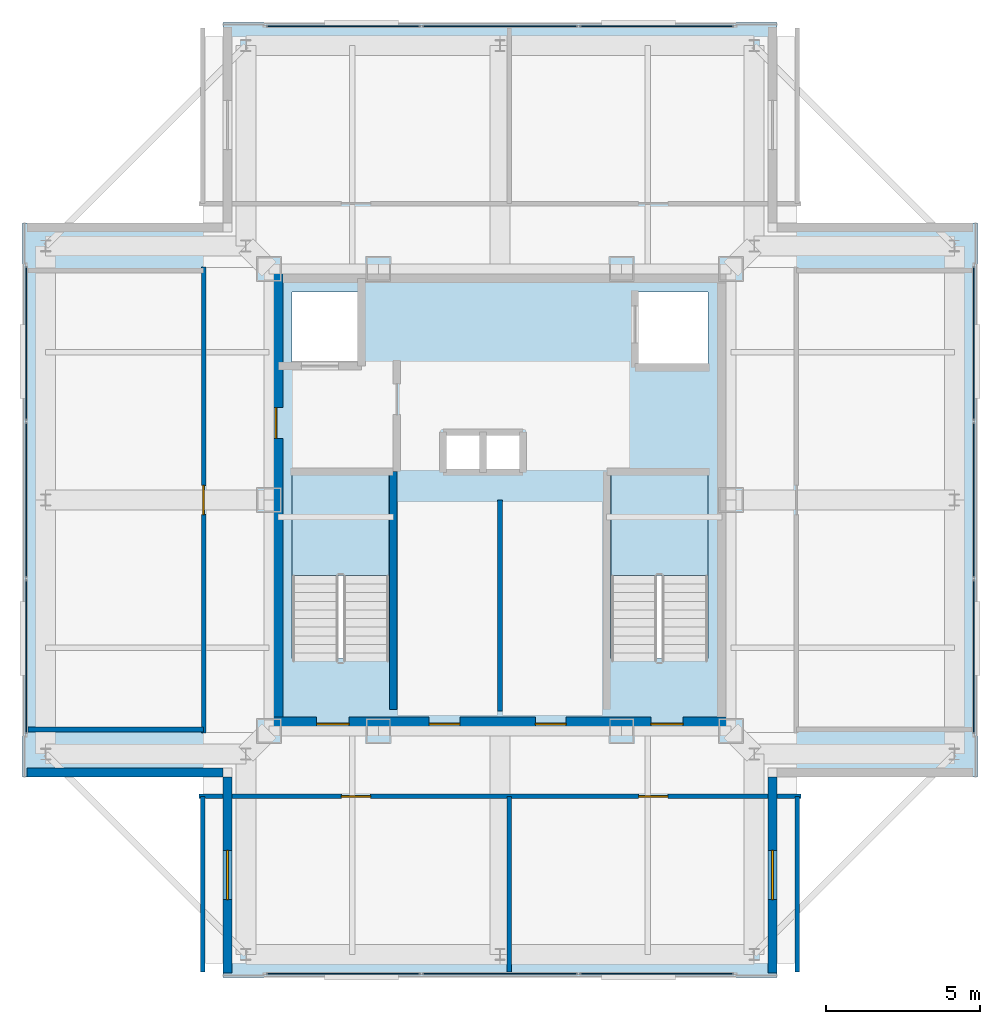
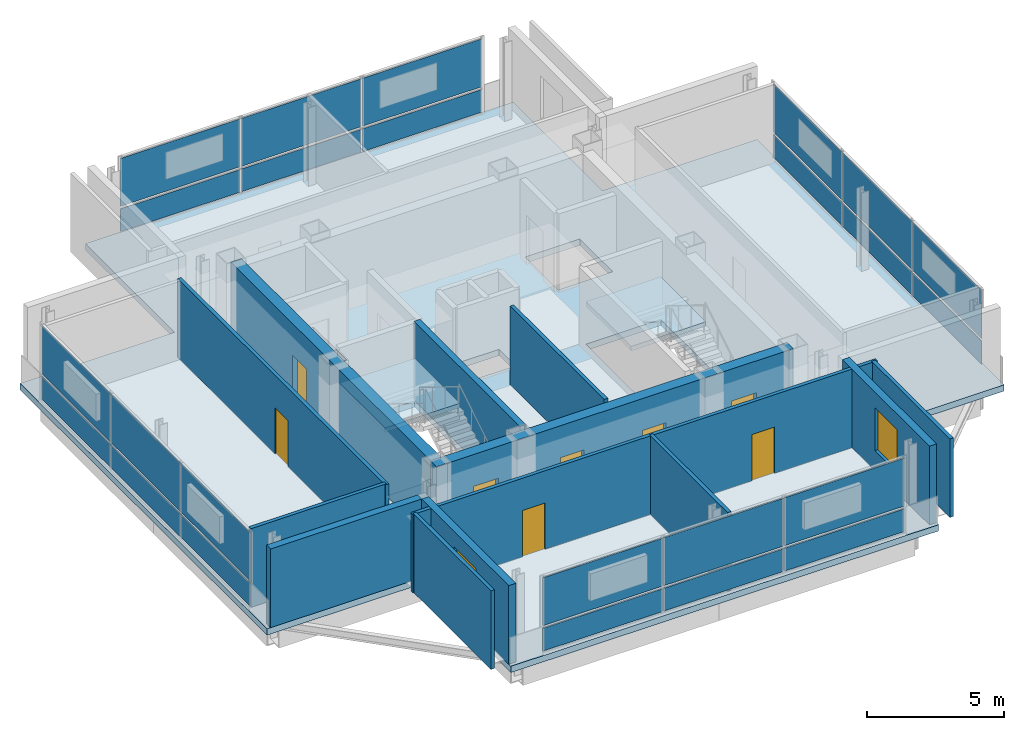
# One storey, part 6 of 10: 24 plates, 13 walls, 8 doors, 3 slabs, 2 windows, 10 openings, 6 elements without a shape of their own.
"""IFC4 building model written with IfcOpenShell, lengths in metres."""

from ifc_helpers import new_model, si_unit, direction, frame, frame_2d, origin, origin_2d, place, context, subcontext, project, spatial, polyline, rectangle, outline, extrude, material, layer, layer_set, type_object, element, fill, aggregate, save


model = new_model("IFC4")

# Units and contexts
model_context = context("Model", 3, precision=1e-05, world=origin(), true_north=direction((0.0, 1.0)))
body_context = subcontext(model_context, "Body", "Model", "MODEL_VIEW")
ifc_project = project(units=[si_unit("LENGTHUNIT", "METRE"), si_unit("AREAUNIT", "SQUARE_METRE"), si_unit("VOLUMEUNIT", "CUBIC_METRE"), si_unit("PLANEANGLEUNIT", "RADIAN"), si_unit("MASSUNIT", "GRAM", prefix="KILO")], contexts=[model_context])

# Site, building, storey
site_placement = place(None, origin())
site = spatial("IfcSite", under=ifc_project, at=site_placement, CompositionType="ELEMENT")
building_placement = place(site_placement, origin())
building = spatial("IfcBuilding", under=site, at=building_placement, Name="Trevonay Congress Spire", CompositionType="ELEMENT")
storey_placement = place(building_placement, frame((0.0, 0.0, 319.800048828125)))
storey = spatial("IfcBuildingStorey", under=building, at=storey_placement, Name="L84", CompositionType="ELEMENT", Elevation=319.800048828125)

# Curtain wall, plates
ifc_material_1 = material(Name="Pale Anodised Aluminium EN AW-6063-T6", Category="aluminium")
ifc_layer_1 = layer(ifc_material_1, 0.159912109375, Name="Pale Anodised Aluminium EN AW-6063-T6")
ifc_layer_set_1 = layer_set([ifc_layer_1], Name="Pale Anodised Aluminium EN AW-6063-T6")
curtain_wall_type = type_object("IfcCurtainWallType", Name="CW-SYS06-CROWN-PALE-METAL", PredefinedType="NOTDEFINED", material=ifc_layer_set_1)
curtain_wall_1_placement = place(storey_placement, origin())
curtain_wall_1 = element("IfcCurtainWall", 1, at=curtain_wall_1_placement, inside=storey, type_object=curtain_wall_type, Name="L84 S unitised curtain wall", PredefinedType="NOTDEFINED")
ifc_material_2 = material(Name="Insulated Low-E Vision Glass IGU", Category="glass")
ifc_layer_2 = layer(ifc_material_2, 0.035888671875, Name="Insulated Low-E Vision Glass IGU")
ifc_layer_set_2 = layer_set([ifc_layer_2], Name="Insulated Low-E Vision Glass IGU")
plate_type = type_object("IfcPlateType", Name="CW-PANEL-IGU36-SILVER", PredefinedType="CURTAIN_PANEL", material=ifc_layer_set_2)
plate_1_placement = place(storey_placement, frame((-5.0849609375, -15.3798828125, 0.1201171875), z_axis=(0.0, 0.0, 1.0), x_axis=(1.0, 0.0, 0.0)))
plate_1 = element("IfcPlate", 2, at=plate_1_placement, type_object=plate_type, Name="CW06 panel 1.1", PredefinedType="CURTAIN_PANEL", context=body_context, shape_type="SweptSolid", body=[
    extrude(rectangle(XDim=5.010009765625, YDim=0.035888671875, at=origin_2d()), origin(), (0.0, 0.0, 1.0), 1.010009765625),
])
plate_2_placement = place(storey_placement, frame((-5.0849609375, -15.3798828125, 1.25), z_axis=(0.0, 0.0, 1.0), x_axis=(1.0, 0.0, 0.0)))
plate_2 = element("IfcPlate", 3, at=plate_2_placement, type_object=plate_type, Name="CW06 panel 1.2", PredefinedType="CURTAIN_PANEL", context=body_context, shape_type="SweptSolid", body=[
    extrude(rectangle(XDim=5.010009765625, YDim=0.035888671875, at=origin_2d()), origin(), (0.0, 0.0, 1.0), 2.1298828125),
])
plate_3_placement = place(storey_placement, frame((0.0, -15.3798828125, 0.1201171875), z_axis=(0.0, 0.0, 1.0), x_axis=(1.0, 0.0, 0.0)))
plate_3 = element("IfcPlate", 4, at=plate_3_placement, type_object=plate_type, Name="CW06 panel 2.1", PredefinedType="CURTAIN_PANEL", context=body_context, shape_type="SweptSolid", body=[
    extrude(rectangle(XDim=5.0400390625, YDim=0.035888671875, at=origin_2d()), origin(), (0.0, 0.0, 1.0), 1.010009765625),
])
plate_4_placement = place(storey_placement, frame((0.0, -15.3798828125, 1.25), z_axis=(0.0, 0.0, 1.0), x_axis=(1.0, 0.0, 0.0)))
plate_4 = element("IfcPlate", 5, at=plate_4_placement, type_object=plate_type, Name="CW06 panel 2.2", PredefinedType="CURTAIN_PANEL", context=body_context, shape_type="SweptSolid", body=[
    extrude(rectangle(XDim=5.0400390625, YDim=0.035888671875, at=origin_2d()), origin(), (0.0, 0.0, 1.0), 2.1298828125),
])
plate_5_placement = place(storey_placement, frame((5.0849609375, -15.3798828125, 0.1201171875), z_axis=(0.0, 0.0, 1.0), x_axis=(1.0, 0.0, 0.0)))
plate_5 = element("IfcPlate", 6, at=plate_5_placement, type_object=plate_type, Name="CW06 panel 3.1", PredefinedType="CURTAIN_PANEL", context=body_context, shape_type="SweptSolid", body=[
    extrude(rectangle(XDim=5.010009765625, YDim=0.035888671875, at=origin_2d()), origin(), (0.0, 0.0, 1.0), 1.010009765625),
])
plate_6_placement = place(storey_placement, frame((5.0849609375, -15.3798828125, 1.25), z_axis=(0.0, 0.0, 1.0), x_axis=(1.0, 0.0, 0.0)))
plate_6 = element("IfcPlate", 7, at=plate_6_placement, type_object=plate_type, Name="CW06 panel 3.2", PredefinedType="CURTAIN_PANEL", context=body_context, shape_type="SweptSolid", body=[
    extrude(rectangle(XDim=5.010009765625, YDim=0.035888671875, at=origin_2d()), origin(), (0.0, 0.0, 1.0), 2.1298828125),
])
aggregate(curtain_wall_1, [plate_1, plate_2, plate_3, plate_4, plate_5, plate_6])

curtain_wall_2_placement = place(storey_placement, origin())
curtain_wall_2 = element("IfcCurtainWall", 8, at=curtain_wall_2_placement, inside=storey, type_object=curtain_wall_type, Name="L84 N unitised curtain wall", PredefinedType="NOTDEFINED")
plate_7_placement = place(storey_placement, frame((-5.0849609375, 15.3798828125, 0.1201171875), z_axis=(0.0, 0.0, 1.0), x_axis=(1.0, 0.0, 0.0)))
plate_7 = element("IfcPlate", 9, at=plate_7_placement, type_object=plate_type, Name="CW06 panel 1.1", PredefinedType="CURTAIN_PANEL", context=body_context, shape_type="SweptSolid", body=[
    extrude(rectangle(XDim=5.010009765625, YDim=0.035888671875, at=origin_2d()), origin(), (0.0, 0.0, 1.0), 1.010009765625),
])
plate_8_placement = place(storey_placement, frame((-5.0849609375, 15.3798828125, 1.25), z_axis=(0.0, 0.0, 1.0), x_axis=(1.0, 0.0, 0.0)))
plate_8 = element("IfcPlate", 10, at=plate_8_placement, type_object=plate_type, Name="CW06 panel 1.2", PredefinedType="CURTAIN_PANEL", context=body_context, shape_type="SweptSolid", body=[
    extrude(rectangle(XDim=5.010009765625, YDim=0.035888671875, at=origin_2d()), origin(), (0.0, 0.0, 1.0), 2.1298828125),
])
plate_9_placement = place(storey_placement, frame((0.0, 15.3798828125, 0.1201171875), z_axis=(0.0, 0.0, 1.0), x_axis=(1.0, 0.0, 0.0)))
plate_9 = element("IfcPlate", 11, at=plate_9_placement, type_object=plate_type, Name="CW06 panel 2.1", PredefinedType="CURTAIN_PANEL", context=body_context, shape_type="SweptSolid", body=[
    extrude(rectangle(XDim=5.0400390625, YDim=0.035888671875, at=origin_2d()), origin(), (0.0, 0.0, 1.0), 1.010009765625),
])
plate_10_placement = place(storey_placement, frame((0.0, 15.3798828125, 1.25), z_axis=(0.0, 0.0, 1.0), x_axis=(1.0, 0.0, 0.0)))
plate_10 = element("IfcPlate", 12, at=plate_10_placement, type_object=plate_type, Name="CW06 panel 2.2", PredefinedType="CURTAIN_PANEL", context=body_context, shape_type="SweptSolid", body=[
    extrude(rectangle(XDim=5.0400390625, YDim=0.035888671875, at=origin_2d()), origin(), (0.0, 0.0, 1.0), 2.1298828125),
])
plate_11_placement = place(storey_placement, frame((5.0849609375, 15.3798828125, 0.1201171875), z_axis=(0.0, 0.0, 1.0), x_axis=(1.0, 0.0, 0.0)))
plate_11 = element("IfcPlate", 13, at=plate_11_placement, type_object=plate_type, Name="CW06 panel 3.1", PredefinedType="CURTAIN_PANEL", context=body_context, shape_type="SweptSolid", body=[
    extrude(rectangle(XDim=5.010009765625, YDim=0.035888671875, at=origin_2d()), origin(), (0.0, 0.0, 1.0), 1.010009765625),
])
plate_12_placement = place(storey_placement, frame((5.0849609375, 15.3798828125, 1.25), z_axis=(0.0, 0.0, 1.0), x_axis=(1.0, 0.0, 0.0)))
plate_12 = element("IfcPlate", 14, at=plate_12_placement, type_object=plate_type, Name="CW06 panel 3.2", PredefinedType="CURTAIN_PANEL", context=body_context, shape_type="SweptSolid", body=[
    extrude(rectangle(XDim=5.010009765625, YDim=0.035888671875, at=origin_2d()), origin(), (0.0, 0.0, 1.0), 2.1298828125),
])
aggregate(curtain_wall_2, [plate_7, plate_8, plate_9, plate_10, plate_11, plate_12])

curtain_wall_3_placement = place(storey_placement, origin())
curtain_wall_3 = element("IfcCurtainWall", 15, at=curtain_wall_3_placement, inside=storey, type_object=curtain_wall_type, Name="L84 W unitised curtain wall", PredefinedType="NOTDEFINED")
plate_13_placement = place(storey_placement, frame((-15.3798828125, -5.0849609375, 0.1201171875), z_axis=(0.0, 0.0, 1.0), x_axis=(0.0, 1.0, 0.0)))
plate_13 = element("IfcPlate", 16, at=plate_13_placement, type_object=plate_type, Name="CW06 panel 1.1", PredefinedType="CURTAIN_PANEL", context=body_context, shape_type="SweptSolid", body=[
    extrude(rectangle(XDim=5.010009765625, YDim=0.035888671875, at=origin_2d()), origin(), (0.0, 0.0, 1.0), 1.010009765625),
])
plate_14_placement = place(storey_placement, frame((-15.3798828125, -5.0849609375, 1.25), z_axis=(0.0, 0.0, 1.0), x_axis=(0.0, 1.0, 0.0)))
plate_14 = element("IfcPlate", 17, at=plate_14_placement, type_object=plate_type, Name="CW06 panel 1.2", PredefinedType="CURTAIN_PANEL", context=body_context, shape_type="SweptSolid", body=[
    extrude(rectangle(XDim=5.010009765625, YDim=0.035888671875, at=origin_2d()), origin(), (0.0, 0.0, 1.0), 2.1298828125),
])
plate_15_placement = place(storey_placement, frame((-15.3798828125, 0.0, 0.1201171875), z_axis=(0.0, 0.0, 1.0), x_axis=(0.0, 1.0, 0.0)))
plate_15 = element("IfcPlate", 18, at=plate_15_placement, type_object=plate_type, Name="CW06 panel 2.1", PredefinedType="CURTAIN_PANEL", context=body_context, shape_type="SweptSolid", body=[
    extrude(rectangle(XDim=5.0400390625, YDim=0.035888671875, at=origin_2d()), origin(), (0.0, 0.0, 1.0), 1.010009765625),
])
plate_16_placement = place(storey_placement, frame((-15.3798828125, 0.0, 1.25), z_axis=(0.0, 0.0, 1.0), x_axis=(0.0, 1.0, 0.0)))
plate_16 = element("IfcPlate", 19, at=plate_16_placement, type_object=plate_type, Name="CW06 panel 2.2", PredefinedType="CURTAIN_PANEL", context=body_context, shape_type="SweptSolid", body=[
    extrude(rectangle(XDim=5.0400390625, YDim=0.035888671875, at=origin_2d()), origin(), (0.0, 0.0, 1.0), 2.1298828125),
])
plate_17_placement = place(storey_placement, frame((-15.3798828125, 5.0849609375, 0.1201171875), z_axis=(0.0, 0.0, 1.0), x_axis=(0.0, 1.0, 0.0)))
plate_17 = element("IfcPlate", 20, at=plate_17_placement, type_object=plate_type, Name="CW06 panel 3.1", PredefinedType="CURTAIN_PANEL", context=body_context, shape_type="SweptSolid", body=[
    extrude(rectangle(XDim=5.010009765625, YDim=0.035888671875, at=origin_2d()), origin(), (0.0, 0.0, 1.0), 1.010009765625),
])
plate_18_placement = place(storey_placement, frame((-15.3798828125, 5.0849609375, 1.25), z_axis=(0.0, 0.0, 1.0), x_axis=(0.0, 1.0, 0.0)))
plate_18 = element("IfcPlate", 21, at=plate_18_placement, type_object=plate_type, Name="CW06 panel 3.2", PredefinedType="CURTAIN_PANEL", context=body_context, shape_type="SweptSolid", body=[
    extrude(rectangle(XDim=5.010009765625, YDim=0.035888671875, at=origin_2d()), origin(), (0.0, 0.0, 1.0), 2.1298828125),
])
aggregate(curtain_wall_3, [plate_13, plate_14, plate_15, plate_16, plate_17, plate_18])

curtain_wall_4_placement = place(storey_placement, origin())
curtain_wall_4 = element("IfcCurtainWall", 22, at=curtain_wall_4_placement, inside=storey, type_object=curtain_wall_type, Name="L84 E unitised curtain wall", PredefinedType="NOTDEFINED")
plate_19_placement = place(storey_placement, frame((15.3798828125, -5.0849609375, 0.1201171875), z_axis=(0.0, 0.0, 1.0), x_axis=(0.0, 1.0, 0.0)))
plate_19 = element("IfcPlate", 23, at=plate_19_placement, type_object=plate_type, Name="CW06 panel 1.1", PredefinedType="CURTAIN_PANEL", context=body_context, shape_type="SweptSolid", body=[
    extrude(rectangle(XDim=5.010009765625, YDim=0.035888671875, at=origin_2d()), origin(), (0.0, 0.0, 1.0), 1.010009765625),
])
plate_20_placement = place(storey_placement, frame((15.3798828125, -5.0849609375, 1.25), z_axis=(0.0, 0.0, 1.0), x_axis=(0.0, 1.0, 0.0)))
plate_20 = element("IfcPlate", 24, at=plate_20_placement, type_object=plate_type, Name="CW06 panel 1.2", PredefinedType="CURTAIN_PANEL", context=body_context, shape_type="SweptSolid", body=[
    extrude(rectangle(XDim=5.010009765625, YDim=0.035888671875, at=origin_2d()), origin(), (0.0, 0.0, 1.0), 2.1298828125),
])
plate_21_placement = place(storey_placement, frame((15.3798828125, 0.0, 0.1201171875), z_axis=(0.0, 0.0, 1.0), x_axis=(0.0, 1.0, 0.0)))
plate_21 = element("IfcPlate", 25, at=plate_21_placement, type_object=plate_type, Name="CW06 panel 2.1", PredefinedType="CURTAIN_PANEL", context=body_context, shape_type="SweptSolid", body=[
    extrude(rectangle(XDim=5.0400390625, YDim=0.035888671875, at=origin_2d()), origin(), (0.0, 0.0, 1.0), 1.010009765625),
])
plate_22_placement = place(storey_placement, frame((15.3798828125, 0.0, 1.25), z_axis=(0.0, 0.0, 1.0), x_axis=(0.0, 1.0, 0.0)))
plate_22 = element("IfcPlate", 26, at=plate_22_placement, type_object=plate_type, Name="CW06 panel 2.2", PredefinedType="CURTAIN_PANEL", context=body_context, shape_type="SweptSolid", body=[
    extrude(rectangle(XDim=5.0400390625, YDim=0.035888671875, at=origin_2d()), origin(), (0.0, 0.0, 1.0), 2.1298828125),
])
plate_23_placement = place(storey_placement, frame((15.3798828125, 5.0849609375, 0.1201171875), z_axis=(0.0, 0.0, 1.0), x_axis=(0.0, 1.0, 0.0)))
plate_23 = element("IfcPlate", 27, at=plate_23_placement, type_object=plate_type, Name="CW06 panel 3.1", PredefinedType="CURTAIN_PANEL", context=body_context, shape_type="SweptSolid", body=[
    extrude(rectangle(XDim=5.010009765625, YDim=0.035888671875, at=origin_2d()), origin(), (0.0, 0.0, 1.0), 1.010009765625),
])
plate_24_placement = place(storey_placement, frame((15.3798828125, 5.0849609375, 1.25), z_axis=(0.0, 0.0, 1.0), x_axis=(0.0, 1.0, 0.0)))
plate_24 = element("IfcPlate", 28, at=plate_24_placement, type_object=plate_type, Name="CW06 panel 3.2", PredefinedType="CURTAIN_PANEL", context=body_context, shape_type="SweptSolid", body=[
    extrude(rectangle(XDim=5.010009765625, YDim=0.035888671875, at=origin_2d()), origin(), (0.0, 0.0, 1.0), 2.1298828125),
])
aggregate(curtain_wall_4, [plate_19, plate_20, plate_21, plate_22, plate_23, plate_24])

# Slab
ifc_material_3 = material(Name="Concrete C40/50", Category="concrete")
ifc_layer_3 = layer(ifc_material_3, 0.280029296875, Name="Concrete C40/50")
ifc_layer_set_3 = layer_set([ifc_layer_3], Name="Concrete C40/50")
slab_type_1 = type_object("IfcSlabType", Name="SLB-CROWN-280", PredefinedType="FLOOR", material=ifc_layer_set_3)
slab_1_placement = place(storey_placement, frame((0.0, 0.0, -0.280029296875)))
element("IfcSlab", 29, at=slab_1_placement, inside=storey, type_object=slab_type_1, Name="L84 structural floor slab", PredefinedType="FLOOR", context=body_context, shape_type="SweptSolid", body=[
    extrude(outline(polyline([(-9.0, -15.5), (9.0, -15.5), (9.0, -9.0), (15.5, -9.0), (15.5, 9.0), (9.0, 9.0), (9.0, 15.5), (-9.0, 15.5), (-9.0, 9.0), (-15.5, 9.0), (-15.5, -9.0), (-9.0, -9.0), (-9.0, -15.5)]), holes=[polyline([(-3.60009765625, -5.14990234375), (-3.60009765625, 0.85009765625), (-6.75, 0.85009765625), (-6.75, -5.14990234375), (-3.60009765625, -5.14990234375)]), polyline([(6.75, -5.14990234375), (6.75, 0.85009765625), (3.60009765625, 0.85009765625), (3.60009765625, -5.14990234375), (6.75, -5.14990234375)]), polyline([(-6.75, 4.35009765625), (-4.449951171875, 4.35009765625), (-4.449951171875, 6.75), (-6.75, 6.75), (-6.75, 4.35009765625)]), polyline([(4.449951171875, 4.35009765625), (6.75, 4.35009765625), (6.75, 6.75), (4.449951171875, 6.75), (4.449951171875, 4.35009765625)]), polyline([(-1.800048828125, 0.949951171875), (0.699951171875, 0.949951171875), (0.699951171875, 2.14990234375), (-1.800048828125, 2.14990234375), (-1.800048828125, 0.949951171875)])]), origin(), (0.0, 0.0, 1.0), 0.280029296875),
])

# Stair, slab
stair_type_1 = type_object("IfcStairType", Name="STR-ST-1", PredefinedType="HALF_TURN_STAIR", material=ifc_material_3)
stair_1_placement = place(storey_placement, origin())
stair_1 = element("IfcStair", 30, at=stair_1_placement, inside=storey, type_object=stair_type_1, Name="L84 Protected Exit Stair ST-1", PredefinedType="HALF_TURN_STAIR")
ifc_layer_4 = layer(ifc_material_3, 0.199951171875, Name="Concrete C40/50")
ifc_layer_set_4 = layer_set([ifc_layer_4], Name="Concrete C40/50")
slab_type_2 = type_object("IfcSlabType", Name="SLB-STAIR-LAND-200", PredefinedType="LANDING", material=ifc_layer_set_4)
slab_2_placement = place(storey_placement, frame((0.0, 0.0, 1.699951171875)))
slab_2 = element("IfcSlab", 31, at=slab_2_placement, type_object=slab_type_2, Name="ST-1 landing 1", PredefinedType="LANDING", context=body_context, shape_type="SweptSolid", body=[
    extrude(outline(polyline([(-3.60009765625, -2.449951171875), (-3.60009765625, 0.85009765625), (-6.75, 0.85009765625), (-6.75, -2.449951171875), (-3.60009765625, -2.449951171875)])), origin(), (0.0, 0.0, 1.0), 0.199951171875),
])
aggregate(stair_1, [slab_2])

stair_type_2 = type_object("IfcStairType", Name="STR-ST-2", PredefinedType="HALF_TURN_STAIR", material=ifc_material_3)
stair_2_placement = place(storey_placement, origin())
stair_2 = element("IfcStair", 32, at=stair_2_placement, inside=storey, type_object=stair_type_2, Name="L84 Protected Exit Stair ST-2", PredefinedType="HALF_TURN_STAIR")
slab_3_placement = place(storey_placement, frame((0.0, 0.0, 1.699951171875)))
slab_3 = element("IfcSlab", 33, at=slab_3_placement, type_object=slab_type_2, Name="ST-2 landing 1", PredefinedType="LANDING", context=body_context, shape_type="SweptSolid", body=[
    extrude(outline(polyline([(6.75, -2.449951171875), (6.75, 0.85009765625), (3.60009765625, 0.85009765625), (3.60009765625, -2.449951171875), (6.75, -2.449951171875)])), origin(), (0.0, 0.0, 1.0), 0.199951171875),
])
aggregate(stair_2, [slab_3])

# Wall, openings, doors
ifc_material_4 = material(Name="Concrete C50/60", Category="concrete")
ifc_layer_5 = layer(ifc_material_4, 0.449951171875, Name="Concrete C50/60")
ifc_layer_set_5 = layer_set([ifc_layer_5], Name="Concrete C50/60")
wall_type_1 = type_object("IfcWallType", Name="WAL-CORE-450", PredefinedType="SHEAR", material=ifc_layer_set_5)
wall_1_placement = place(storey_placement, frame((-7.5, -7.27490234375, 0.0), z_axis=(0.0, 0.0, 1.0), x_axis=(1.0, 0.0, 0.0)))
wall_1 = element("IfcWall", 34, at=wall_1_placement, inside=storey, type_object=wall_type_1, Name="L84 South structural core shear wall", PredefinedType="SHEAR", context=body_context, shape_type="SweptSolid", body=[
    extrude(rectangle(XDim=15.0, YDim=0.449951171875, at=frame_2d((7.5, 0.0))), origin(), (0.0, 0.0, 1.0), 3.5),
])
opening_1_placement = place(wall_1_placement, frame((1.550048828125, 0.0, 0.0)))
opening_1 = element("IfcOpeningElement", 35, at=opening_1_placement, cuts=wall_1, Name="Opening D05", PredefinedType="OPENING", context=body_context, shape_type="SweptSolid", body=[
    extrude(rectangle(XDim=1.050048828125, YDim=2.080078125, at=frame_2d((0.52490234375, 1.0400390625))), frame((0.0, 0.23486328125, 0.0), z_axis=(0.0, -1.0, 0.0), x_axis=(1.0, 0.0, 0.0)), (0.0, 0.0, 1.0), 0.469970703125),
])
opening_2_placement = place(wall_1_placement, frame((12.39990234375, 0.0, 0.0)))
opening_2 = element("IfcOpeningElement", 36, at=opening_2_placement, cuts=wall_1, Name="Opening D05", PredefinedType="OPENING", context=body_context, shape_type="SweptSolid", body=[
    extrude(rectangle(XDim=1.050048828125, YDim=2.080078125, at=frame_2d((0.52490234375, 1.0400390625))), frame((0.0, 0.23486328125, 0.0), z_axis=(0.0, -1.0, 0.0), x_axis=(1.0, 0.0, 0.0)), (0.0, 0.0, 1.0), 0.469970703125),
])
opening_3_placement = place(wall_1_placement, frame((5.199951171875, 0.0, 0.0)))
opening_3 = element("IfcOpeningElement", 37, at=opening_3_placement, cuts=wall_1, Name="Opening D06", PredefinedType="OPENING", context=body_context, shape_type="SweptSolid", body=[
    extrude(rectangle(XDim=1.0, YDim=2.080078125, at=frame_2d((0.5, 1.0400390625))), frame((0.0, 0.23486328125, 0.0), z_axis=(0.0, -1.0, 0.0), x_axis=(1.0, 0.0, 0.0)), (0.0, 0.0, 1.0), 0.469970703125),
])
opening_4_placement = place(wall_1_placement, frame((8.64990234375, 0.0, 0.0)))
opening_4 = element("IfcOpeningElement", 38, at=opening_4_placement, cuts=wall_1, Name="Opening D06", PredefinedType="OPENING", context=body_context, shape_type="SweptSolid", body=[
    extrude(rectangle(XDim=1.0, YDim=2.080078125, at=frame_2d((0.5, 1.0400390625))), frame((0.0, 0.23486328125, 0.0), z_axis=(0.0, -1.0, 0.0), x_axis=(1.0, 0.0, 0.0)), (0.0, 0.0, 1.0), 0.469970703125),
])
ifc_material_5 = material(Name="Steel ASTM A572 Grade 50", Category="steel")
door_type_1 = type_object("IfcDoorType", Name="DOR-FIRE-100", OperationType="NOTDEFINED", PredefinedType="DOOR", material=ifc_material_5)
door_1_placement = place(opening_3_placement, origin())
door_1 = element("IfcDoor", 39, at=door_1_placement, inside=storey, type_object=door_type_1, Name="L84 South Core Room 1 Door", OperationType="SINGLE_SWING_LEFT", OverallHeight=2.080078125, OverallWidth=1.0, PredefinedType="DOOR", context=body_context, shape_type="SweptSolid", body=[
    extrude(rectangle(XDim=1.0, YDim=2.080078125, at=frame_2d((0.5, 1.0400390625))), frame((0.0, 0.02490234375, 0.0), z_axis=(0.0, -1.0, 0.0), x_axis=(1.0, 0.0, 0.0)), (0.0, 0.0, 1.0), 0.050048828125),
])
fill(opening_3, door_1)
door_2_placement = place(opening_4_placement, origin())
door_2 = element("IfcDoor", 40, at=door_2_placement, inside=storey, type_object=door_type_1, Name="L84 South Core Room 2 Door", OperationType="SINGLE_SWING_RIGHT", OverallHeight=2.080078125, OverallWidth=1.0, PredefinedType="DOOR", context=body_context, shape_type="SweptSolid", body=[
    extrude(rectangle(XDim=1.0, YDim=2.080078125, at=frame_2d((0.5, 1.0400390625))), frame((0.0, 0.02490234375, 0.0), z_axis=(0.0, -1.0, 0.0), x_axis=(1.0, 0.0, 0.0)), (0.0, 0.0, 1.0), 0.050048828125),
])
fill(opening_4, door_2)
door_type_2 = type_object("IfcDoorType", Name="DOR-STAIR-110", OperationType="NOTDEFINED", PredefinedType="DOOR", material=ifc_material_5)
door_3_placement = place(opening_1_placement, origin())
door_3 = element("IfcDoor", 41, at=door_3_placement, inside=storey, type_object=door_type_2, Name="L84 Protected Stair ST-1 Door", OperationType="SINGLE_SWING_RIGHT", OverallHeight=2.080078125, OverallWidth=1.050048828125, PredefinedType="DOOR", context=body_context, shape_type="SweptSolid", body=[
    extrude(rectangle(XDim=1.050048828125, YDim=2.080078125, at=frame_2d((0.52490234375, 1.0400390625))), frame((0.0, 0.02490234375, 0.0), z_axis=(0.0, -1.0, 0.0), x_axis=(1.0, 0.0, 0.0)), (0.0, 0.0, 1.0), 0.050048828125),
])
fill(opening_1, door_3)
door_4_placement = place(opening_2_placement, origin())
door_4 = element("IfcDoor", 42, at=door_4_placement, inside=storey, type_object=door_type_2, Name="L84 Protected Stair ST-2 Door", OperationType="SINGLE_SWING_LEFT", OverallHeight=2.080078125, OverallWidth=1.050048828125, PredefinedType="DOOR", context=body_context, shape_type="SweptSolid", body=[
    extrude(rectangle(XDim=1.050048828125, YDim=2.080078125, at=frame_2d((0.52490234375, 1.0400390625))), frame((0.0, 0.02490234375, 0.0), z_axis=(0.0, -1.0, 0.0), x_axis=(1.0, 0.0, 0.0)), (0.0, 0.0, 1.0), 0.050048828125),
])
fill(opening_2, door_4)

# Wall, opening, door
wall_2_placement = place(storey_placement, frame((-7.27490234375, -7.5, 0.0), z_axis=(0.0, 0.0, 1.0), x_axis=(0.0, 1.0, 0.0)))
wall_2 = element("IfcWall", 43, at=wall_2_placement, inside=storey, type_object=wall_type_1, Name="L84 West structural core shear wall", PredefinedType="SHEAR", context=body_context, shape_type="SweptSolid", body=[
    extrude(rectangle(XDim=15.0, YDim=0.449951171875, at=frame_2d((7.5, 0.0))), origin(), (0.0, 0.0, 1.0), 3.5),
])
opening_5_placement = place(wall_2_placement, frame((9.5, 0.0, 0.0)))
opening_5 = element("IfcOpeningElement", 44, at=opening_5_placement, cuts=wall_2, Name="Opening D06", PredefinedType="OPENING", context=body_context, shape_type="SweptSolid", body=[
    extrude(rectangle(XDim=1.0, YDim=2.080078125, at=frame_2d((0.5, 1.0400390625))), frame((0.0, 0.23486328125, 0.0), z_axis=(0.0, -1.0, 0.0), x_axis=(1.0, 0.0, 0.0)), (0.0, 0.0, 1.0), 0.469970703125),
])
door_5_placement = place(opening_5_placement, origin())
door_5 = element("IfcDoor", 45, at=door_5_placement, inside=storey, type_object=door_type_1, Name="L84 Firefighting Lift Lobby West Corridor Door", OperationType="SINGLE_SWING_RIGHT", OverallHeight=2.080078125, OverallWidth=1.0, PredefinedType="DOOR", context=body_context, shape_type="SweptSolid", body=[
    extrude(rectangle(XDim=1.0, YDim=2.080078125, at=frame_2d((0.5, 1.0400390625))), frame((0.0, 0.02490234375, 0.0), z_axis=(0.0, -1.0, 0.0), x_axis=(1.0, 0.0, 0.0)), (0.0, 0.0, 1.0), 0.050048828125),
])
fill(opening_5, door_5)

# Wall, openings, doors
ifc_layer_6 = layer(ifc_material_3, 0.14990234375, Name="Concrete C40/50")
ifc_layer_set_6 = layer_set([ifc_layer_6], Name="Concrete C40/50")
wall_type_2 = type_object("IfcWallType", Name="WAL-CORR-150", PredefinedType="PARTITIONING", material=ifc_layer_set_6)
wall_3_placement = place(storey_placement, frame((-9.77001953125, -9.6201171875, 0.0), z_axis=(0.0, 0.0, 1.0), x_axis=(1.0, 0.0, 0.0)))
wall_3 = element("IfcWall", 46, at=wall_3_placement, inside=storey, type_object=wall_type_2, Name="L84 interior wall WP-L84S-COR", PredefinedType="PARTITIONING", context=body_context, shape_type="SweptSolid", body=[
    extrude(rectangle(XDim=19.5400390625, YDim=0.14990234375, at=frame_2d((9.77001953125, 0.0))), origin(), (0.0, 0.0, 1.0), 3.5),
])
opening_6_placement = place(wall_3_placement, frame((4.6201171875, 0.0, 0.0)))
opening_6 = element("IfcOpeningElement", 47, at=opening_6_placement, cuts=wall_3, Name="Opening D07", PredefinedType="OPENING", context=body_context, shape_type="SweptSolid", body=[
    extrude(rectangle(XDim=0.949951171875, YDim=2.06005859375, at=frame_2d((0.47509765625, 1.030029296875))), frame((0.0, 0.0849609375, 0.0), z_axis=(0.0, -1.0, 0.0), x_axis=(1.0, 0.0, 0.0)), (0.0, 0.0, 1.0), 0.169921875),
])
opening_7_placement = place(wall_3_placement, frame((14.27001953125, 0.0, 0.0)))
opening_7 = element("IfcOpeningElement", 48, at=opening_7_placement, cuts=wall_3, Name="Opening D07", PredefinedType="OPENING", context=body_context, shape_type="SweptSolid", body=[
    extrude(rectangle(XDim=0.949951171875, YDim=2.06005859375, at=frame_2d((0.47509765625, 1.030029296875))), frame((0.0, 0.0849609375, 0.0), z_axis=(0.0, -1.0, 0.0), x_axis=(1.0, 0.0, 0.0)), (0.0, 0.0, 1.0), 0.169921875),
])
door_type_3 = type_object("IfcDoorType", Name="DOR-OFFICE-95", OperationType="NOTDEFINED", PredefinedType="DOOR", material=ifc_material_1)
door_6_placement = place(opening_6_placement, origin())
door_6 = element("IfcDoor", 49, at=door_6_placement, inside=storey, type_object=door_type_3, Name="L84 Crown Cooling Tower Plant Door", OperationType="SINGLE_SWING_RIGHT", OverallHeight=2.06005859375, OverallWidth=0.949951171875, PredefinedType="DOOR", context=body_context, shape_type="SweptSolid", body=[
    extrude(rectangle(XDim=0.949951171875, YDim=2.06005859375, at=frame_2d((0.47509765625, 1.030029296875))), frame((0.0, 0.02490234375, 0.0), z_axis=(0.0, -1.0, 0.0), x_axis=(1.0, 0.0, 0.0)), (0.0, 0.0, 1.0), 0.050048828125),
])
fill(opening_6, door_6)
door_7_placement = place(opening_7_placement, origin())
door_7 = element("IfcDoor", 50, at=door_7_placement, inside=storey, type_object=door_type_3, Name="L84 Water Treatment Plant Door", OperationType="SINGLE_SWING_LEFT", OverallHeight=2.06005859375, OverallWidth=0.949951171875, PredefinedType="DOOR", context=body_context, shape_type="SweptSolid", body=[
    extrude(rectangle(XDim=0.949951171875, YDim=2.06005859375, at=frame_2d((0.47509765625, 1.030029296875))), frame((0.0, 0.02490234375, 0.0), z_axis=(0.0, -1.0, 0.0), x_axis=(1.0, 0.0, 0.0)), (0.0, 0.0, 1.0), 0.050048828125),
])
fill(opening_7, door_7)

# Wall, opening, door
wall_4_placement = place(storey_placement, frame((-9.6201171875, -7.570068359375, 0.0), z_axis=(0.0, 0.0, 1.0), x_axis=(0.0, 1.0, 0.0)))
wall_4 = element("IfcWall", 51, at=wall_4_placement, inside=storey, type_object=wall_type_2, Name="L84 interior wall WP-L84W-COR", PredefinedType="PARTITIONING", context=body_context, shape_type="SweptSolid", body=[
    extrude(rectangle(XDim=15.14013671875, YDim=0.14990234375, at=frame_2d((7.570068359375, 0.0))), origin(), (0.0, 0.0, 1.0), 3.5),
])
opening_8_placement = place(wall_4_placement, frame((7.094970703125, 0.0, 0.0)))
opening_8 = element("IfcOpeningElement", 52, at=opening_8_placement, cuts=wall_4, Name="Opening D07", PredefinedType="OPENING", context=body_context, shape_type="SweptSolid", body=[
    extrude(rectangle(XDim=0.949951171875, YDim=2.06005859375, at=frame_2d((0.47509765625, 1.030029296875))), frame((0.0, 0.0849609375, 0.0), z_axis=(0.0, -1.0, 0.0), x_axis=(1.0, 0.0, 0.0)), (0.0, 0.0, 1.0), 0.169921875),
])
door_8_placement = place(opening_8_placement, origin())
door_8 = element("IfcDoor", 53, at=door_8_placement, inside=storey, type_object=door_type_3, Name="L84 Spire Structural Monitoring Plant Door", OperationType="SINGLE_SWING_RIGHT", OverallHeight=2.06005859375, OverallWidth=0.949951171875, PredefinedType="DOOR", context=body_context, shape_type="SweptSolid", body=[
    extrude(rectangle(XDim=0.949951171875, YDim=2.06005859375, at=frame_2d((0.47509765625, 1.030029296875))), frame((0.0, 0.02490234375, 0.0), z_axis=(0.0, -1.0, 0.0), x_axis=(1.0, 0.0, 0.0)), (0.0, 0.0, 1.0), 0.050048828125),
])
fill(opening_8, door_8)

# Wall, opening, window
ifc_material_6 = material(Name="Precast concrete C40/50", Category="concrete")
ifc_layer_7 = layer(ifc_material_6, 0.300048828125, Name="Precast concrete C40/50")
ifc_layer_set_7 = layer_set([ifc_layer_7], Name="Precast concrete C40/50")
wall_type_3 = type_object("IfcWallType", Name="WAL-EXT-PRECAST-300", PredefinedType="SOLIDWALL", material=ifc_layer_set_7)
wall_5_placement = place(storey_placement, frame((-8.85009765625, -15.35009765625, 0.0), z_axis=(0.0, 0.0, 1.0), x_axis=(0.0, 1.0, 0.0)))
wall_5 = element("IfcWall", 54, at=wall_5_placement, inside=storey, type_object=wall_type_3, Name="L84 SW re-entrant notch exterior wall 1", PredefinedType="SOLIDWALL", context=body_context, shape_type="SweptSolid", body=[
    extrude(rectangle(XDim=6.35009765625, YDim=0.300048828125, at=frame_2d((3.175048828125, 0.0))), origin(), (0.0, 0.0, 1.0), 3.5),
])
opening_9_placement = place(wall_5_placement, frame((2.375, 0.0, 0.89990234375)))
opening_9 = element("IfcOpeningElement", 55, at=opening_9_placement, cuts=wall_5, Name="Opening WN04", PredefinedType="OPENING", context=body_context, shape_type="SweptSolid", body=[
    extrude(rectangle(XDim=1.60009765625, YDim=1.89990234375, at=frame_2d((0.800048828125, 0.949951171875))), frame((0.0, 0.16015625, 0.0), z_axis=(0.0, -1.0, 0.0), x_axis=(1.0, 0.0, 0.0)), (0.0, 0.0, 1.0), 0.320068359375),
])
window_type = type_object("IfcWindowType", Name="WIN-CROWN-160X190", PartitioningType="SINGLE_PANEL", PredefinedType="WINDOW", material=ifc_material_2)
window_1_placement = place(opening_9_placement, origin())
window_1 = element("IfcWindow", 56, at=window_1_placement, inside=storey, type_object=window_type, Name="L84 SW corner notch window", OverallHeight=1.89990234375, OverallWidth=1.60009765625, PartitioningType="SINGLE_PANEL", PredefinedType="WINDOW", context=body_context, shape_type="SweptSolid", body=[
    extrude(rectangle(XDim=1.60009765625, YDim=1.89990234375, at=frame_2d((0.800048828125, 0.949951171875))), frame((0.0, 0.030029296875, 0.0), z_axis=(0.0, -1.0, 0.0), x_axis=(1.0, 0.0, 0.0)), (0.0, 0.0, 1.0), 0.06005859375),
])
fill(opening_9, window_1)

# Wall
wall_6_placement = place(storey_placement, frame((-15.35009765625, -8.85009765625, 0.0), z_axis=(0.0, 0.0, 1.0), x_axis=(1.0, 0.0, 0.0)))
element("IfcWall", 57, at=wall_6_placement, inside=storey, type_object=wall_type_3, Name="L84 SW re-entrant notch exterior wall 2", PredefinedType="SOLIDWALL", context=body_context, shape_type="SweptSolid", body=[
    extrude(rectangle(XDim=6.35009765625, YDim=0.300048828125, at=frame_2d((3.175048828125, 0.0))), origin(), (0.0, 0.0, 1.0), 3.5),
])

# Wall, opening, window
wall_7_placement = place(storey_placement, frame((8.85009765625, -15.35009765625, 0.0), z_axis=(0.0, 0.0, 1.0), x_axis=(0.0, 1.0, 0.0)))
wall_7 = element("IfcWall", 58, at=wall_7_placement, inside=storey, type_object=wall_type_3, Name="L84 SE re-entrant notch exterior wall 1", PredefinedType="SOLIDWALL", context=body_context, shape_type="SweptSolid", body=[
    extrude(rectangle(XDim=6.35009765625, YDim=0.300048828125, at=frame_2d((3.175048828125, 0.0))), origin(), (0.0, 0.0, 1.0), 3.5),
])
opening_10_placement = place(wall_7_placement, frame((2.375, 0.0, 0.89990234375)))
opening_10 = element("IfcOpeningElement", 59, at=opening_10_placement, cuts=wall_7, Name="Opening WN04", PredefinedType="OPENING", context=body_context, shape_type="SweptSolid", body=[
    extrude(rectangle(XDim=1.60009765625, YDim=1.89990234375, at=frame_2d((0.800048828125, 0.949951171875))), frame((0.0, 0.16015625, 0.0), z_axis=(0.0, -1.0, 0.0), x_axis=(1.0, 0.0, 0.0)), (0.0, 0.0, 1.0), 0.320068359375),
])
window_2_placement = place(opening_10_placement, origin())
window_2 = element("IfcWindow", 60, at=window_2_placement, inside=storey, type_object=window_type, Name="L84 SE corner notch window", OverallHeight=1.89990234375, OverallWidth=1.60009765625, PartitioningType="SINGLE_PANEL", PredefinedType="WINDOW", context=body_context, shape_type="SweptSolid", body=[
    extrude(rectangle(XDim=1.60009765625, YDim=1.89990234375, at=frame_2d((0.800048828125, 0.949951171875))), frame((0.0, 0.030029296875, 0.0), z_axis=(0.0, -1.0, 0.0), x_axis=(1.0, 0.0, 0.0)), (0.0, 0.0, 1.0), 0.06005859375),
])
fill(opening_10, window_2)

# Walls
ifc_layer_8 = layer(ifc_material_3, 0.14990234375, Name="Concrete C40/50")
ifc_layer_set_8 = layer_set([ifc_layer_8], Name="Concrete C40/50")
wall_type_4 = type_object("IfcWallType", Name="WAL-PART-150", PredefinedType="PARTITIONING", material=ifc_layer_set_8)
wall_8_placement = place(storey_placement, frame((0.0, -6.85009765625, 0.0), z_axis=(0.0, 0.0, 1.0), x_axis=(0.0, 1.0, 0.0)))
element("IfcWall", 61, at=wall_8_placement, inside=storey, type_object=wall_type_4, Name="L84 interior wall CW-F0-L84", PredefinedType="PARTITIONING", context=body_context, shape_type="SweptSolid", body=[
    extrude(rectangle(XDim=6.85009765625, YDim=0.14990234375, at=frame_2d((3.425048828125, 0.0))), origin(), (0.0, 0.0, 1.0), 3.5),
])
for number, where, z_axis, x_axis, name in (
    (62, (-9.64990234375, -15.320068359375, 0.0), (0.0, 0.0, 1.0), (0.0, 1.0, 0.0), "L84 interior wall WP-L84S-DIV1"),
    (63, (0.300048828125, -15.320068359375, 0.0), (0.0, 0.0, 1.0), (0.0, 1.0, 0.0), "L84 interior wall WP-L84S-DIV2"),
    (64, (9.64990234375, -15.320068359375, 0.0), (0.0, 0.0, 1.0), (0.0, 1.0, 0.0), "L84 interior wall WP-L84S-DIV3"),
    (65, (-15.320068359375, -7.449951171875, 0.0), (0.0, 0.0, 1.0), (1.0, 0.0, 0.0), "L84 interior wall WP-L84W-DIV1"),
):
    element("IfcWall", number, at=place(storey_placement, frame(where, z_axis=z_axis, x_axis=x_axis)), inside=storey, type_object=wall_type_4, Name=name, PredefinedType="PARTITIONING", context=body_context, shape_type="SweptSolid", body=[
        extrude(rectangle(XDim=5.699951171875, YDim=0.14990234375, at=frame_2d((2.85009765625, 0.0))), origin(), (0.0, 0.0, 1.0), 3.5),
    ])
ifc_layer_9 = layer(ifc_material_3, 0.25, Name="Concrete C40/50")
ifc_layer_set_9 = layer_set([ifc_layer_9], Name="Concrete C40/50")
wall_type_5 = type_object("IfcWallType", Name="WAL-SHAFT-LB-250", PredefinedType="SHEAR", material=ifc_layer_set_9)
wall_9_placement = place(storey_placement, frame((-3.469970703125, -6.800048828125, 0.0), z_axis=(0.0, 0.0, 1.0), x_axis=(0.0, 1.0, 0.0)))
element("IfcWall", 66, at=wall_9_placement, inside=storey, type_object=wall_type_5, Name="L84 interior shaft wall WSH-L84-ST1-E", PredefinedType="SHEAR", context=body_context, shape_type="SweptSolid", body=[
    extrude(rectangle(XDim=7.719970703125, YDim=0.25, at=frame_2d((3.85986328125, 0.0))), origin(), (0.0, 0.0, 1.0), 3.5),
])

save(model, "model.ifc")
